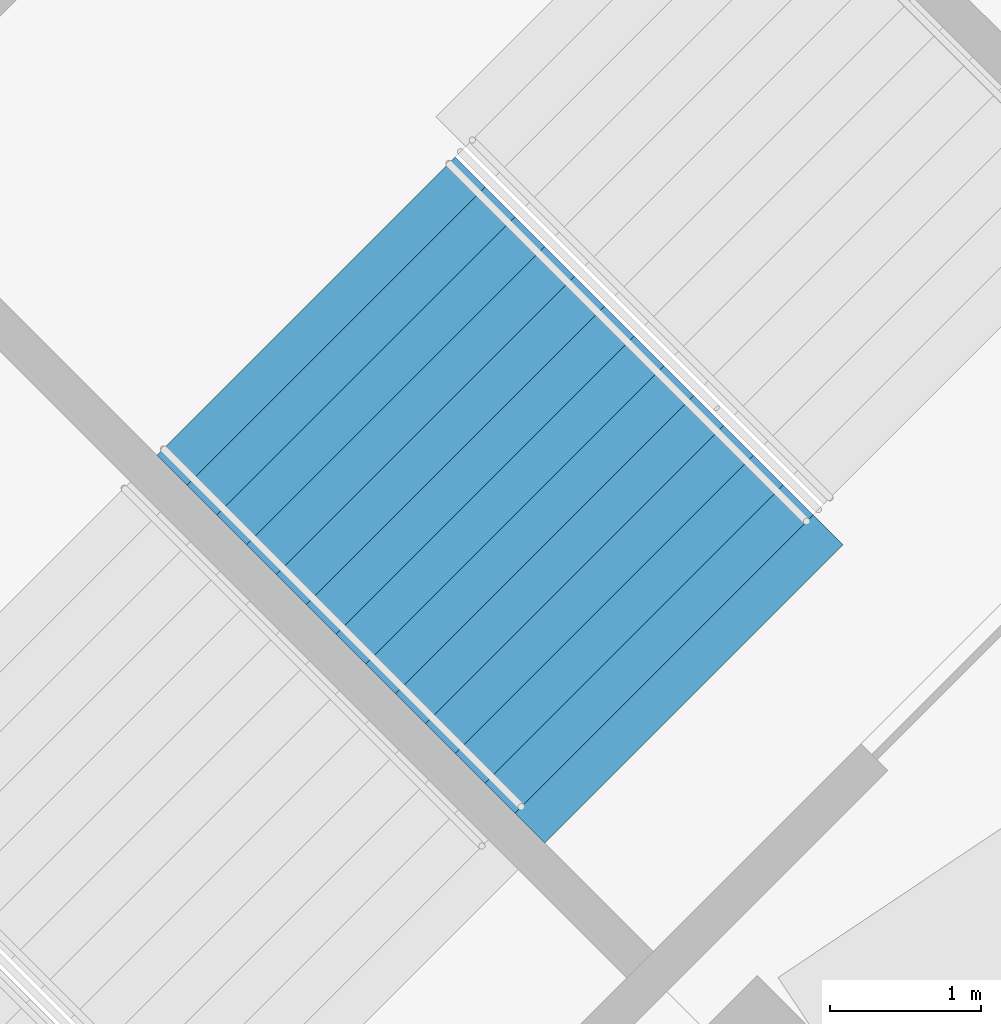
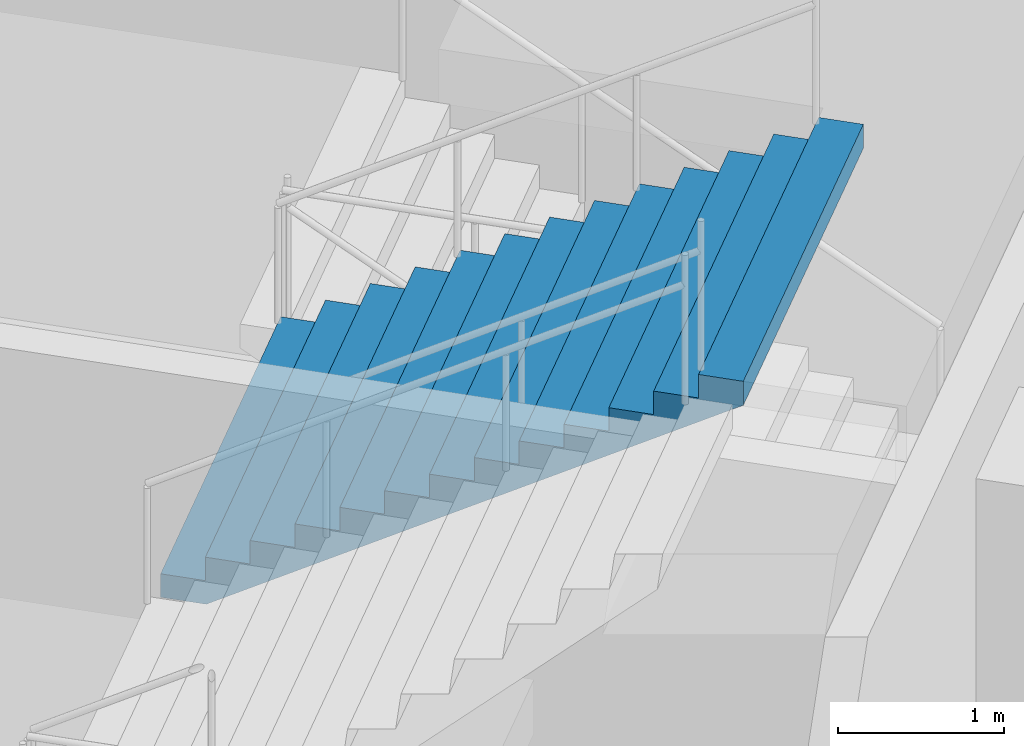
# One storey, part 157 of 199: 1 stair flight, 1 element without a shape of its own.
"""IFC4 building model written with IfcOpenShell, lengths in metres."""

from ifc_helpers import new_model, si_unit, direction, frame, origin, place, context, subcontext, project, spatial, faceted_brep, material, type_object, element, aggregate, save


model = new_model("IFC4")

# Units and contexts
model_context = context("Model", 3, precision=1e-05, world=origin(), true_north=direction((0.0, 1.0)))
body_context = subcontext(model_context, "Body", "Model", "MODEL_VIEW")
ifc_project = project(units=[si_unit("LENGTHUNIT", "METRE"), si_unit("AREAUNIT", "SQUARE_METRE"), si_unit("VOLUMEUNIT", "CUBIC_METRE"), si_unit("PLANEANGLEUNIT", "RADIAN"), si_unit("MASSUNIT", "GRAM", prefix="KILO")], contexts=[model_context])

# Site, building, storey
site_placement = place(None, origin())
site = spatial("IfcSite", under=ifc_project, at=site_placement, CompositionType="ELEMENT")
building_placement = place(site_placement, origin())
building = spatial("IfcBuilding", under=site, at=building_placement, Name="Ogive Plaza Stadium", CompositionType="ELEMENT")
storey_placement = place(building_placement, frame((0.0, 0.0, 9.0)))
storey = spatial("IfcBuildingStorey", under=building, at=storey_placement, Name="L02", CompositionType="ELEMENT", Elevation=9.0)

# Stair, stair flight
ifc_material_1 = material(Name="Concrete C40/50", Category="concrete")
stair_type = type_object("IfcStairType", Name="Exit stair", PredefinedType="STRAIGHT_RUN_STAIR", material=ifc_material_1)
stair_placement = place(storey_placement, origin())
stair = element("IfcStair", 1, at=stair_placement, inside=storey, type_object=stair_type, Name="Exit stair ST30A L02 to L03", PredefinedType="STRAIGHT_RUN_STAIR")
ifc_material_2 = material(Name="Concrete C40/50", Category="concrete")
stair_flight_type = type_object("IfcStairFlightType", Name="Exit stair flight", PredefinedType="STRAIGHT", material=ifc_material_2)
stair_flight_placement = place(storey_placement, frame((-65.243408203125, 85.900146484375, 2.25), z_axis=(0.0, 0.0, 1.0), x_axis=(0.707106781187, -0.707106781187, 0.0)))
stair_flight = element("IfcStairFlight", 2, at=stair_flight_placement, type_object=stair_flight_type, Name="ST30A flight 2", NumberOfRisers=13, NumberOfTreads=12, PredefinedType="STRAIGHT", RiserHeight=0.173076923, TreadLength=0.28, context=body_context, shape_type="Brep", body=[
    faceted_brep([(0.28515625, -1.39990234375, 0.0), (3.639892578125, -1.39990234375, 2.07373046875), (3.639892578125, -1.39990234375, 2.25), (3.360107421875, -1.39990234375, 2.25), (3.360107421875, -1.39990234375, 2.076904296875), (3.080078125, -1.39990234375, 2.076904296875), (3.080078125, -1.39990234375, 1.90380859375), (2.800048828125, -1.39990234375, 1.90380859375), (2.800048828125, -1.39990234375, 1.730712890625), (2.52001953125, -1.39990234375, 1.730712890625), (2.52001953125, -1.39990234375, 1.5576171875), (2.239990234375, -1.39990234375, 1.5576171875), (2.239990234375, -1.39990234375, 1.384521484375), (1.9599609375, -1.39990234375, 1.384521484375), (1.9599609375, -1.39990234375, 1.21142578125), (1.679931640625, -1.39990234375, 1.21142578125), (1.679931640625, -1.39990234375, 1.03857421875), (1.39990234375, -1.39990234375, 1.03857421875), (1.39990234375, -1.39990234375, 0.865478515625), (1.1201171875, -1.39990234375, 0.865478515625), (1.1201171875, -1.39990234375, 0.6923828125), (0.840087890625, -1.39990234375, 0.6923828125), (0.840087890625, -1.39990234375, 0.519287109375), (0.56005859375, -1.39990234375, 0.519287109375), (0.56005859375, -1.39990234375, 0.34619140625), (0.280029296875, -1.39990234375, 0.34619140625), (0.280029296875, -1.39990234375, 0.173095703125), (0.0, -1.39990234375, 0.173095703125), (0.0, -1.39990234375, 0.0), (0.0, 1.39990234375, 0.0), (0.0, 1.39990234375, 0.173095703125), (0.280029296875, 1.39990234375, 0.173095703125), (0.280029296875, 1.39990234375, 0.34619140625), (0.56005859375, 1.39990234375, 0.34619140625), (0.56005859375, 1.39990234375, 0.519287109375), (0.840087890625, 1.39990234375, 0.519287109375), (0.840087890625, 1.39990234375, 0.6923828125), (1.1201171875, 1.39990234375, 0.6923828125), (1.1201171875, 1.39990234375, 0.865478515625), (1.39990234375, 1.39990234375, 0.865478515625), (1.39990234375, 1.39990234375, 1.03857421875), (1.679931640625, 1.39990234375, 1.03857421875), (1.679931640625, 1.39990234375, 1.21142578125), (1.9599609375, 1.39990234375, 1.21142578125), (1.9599609375, 1.39990234375, 1.384521484375), (2.239990234375, 1.39990234375, 1.384521484375), (2.239990234375, 1.39990234375, 1.5576171875), (2.52001953125, 1.39990234375, 1.5576171875), (2.52001953125, 1.39990234375, 1.730712890625), (2.800048828125, 1.39990234375, 1.730712890625), (2.800048828125, 1.39990234375, 1.90380859375), (3.080078125, 1.39990234375, 1.90380859375), (3.080078125, 1.39990234375, 2.076904296875), (3.360107421875, 1.39990234375, 2.076904296875), (3.360107421875, 1.39990234375, 2.25), (3.639892578125, 1.39990234375, 2.25), (3.639892578125, 1.39990234375, 2.07373046875), (0.28515625, 1.39990234375, 0.0), (0.28515625, -1.0888671875, 0.0), (3.639892578125, -1.0888671875, 2.07373046875), (0.28515625, -0.77783203125, 0.0), (3.639892578125, -0.77783203125, 2.07373046875), (0.28515625, -0.466796875, 0.0), (3.639892578125, -0.466796875, 2.07373046875), (0.28515625, -0.155517578125, 0.0), (3.639892578125, -0.155517578125, 2.07373046875), (0.28515625, 0.155517578125, 0.0), (3.639892578125, 0.155517578125, 2.07373046875), (0.28515625, 0.466796875, 0.0), (3.639892578125, 0.466796875, 2.07373046875), (0.28515625, 0.77783203125, 0.0), (3.639892578125, 0.77783203125, 2.07373046875), (0.28515625, 1.0888671875, 0.0), (3.639892578125, 1.0888671875, 2.07373046875), (3.639892578125, -1.0888671875, 2.25), (3.639892578125, -0.77783203125, 2.25), (3.639892578125, -0.466796875, 2.25), (3.639892578125, -0.155517578125, 2.25), (3.639892578125, 0.155517578125, 2.25), (3.639892578125, 0.466796875, 2.25), (3.639892578125, 0.77783203125, 2.25), (3.639892578125, 1.0888671875, 2.25), (3.360107421875, -1.0888671875, 2.25), (3.360107421875, -0.77783203125, 2.25), (3.360107421875, -0.466796875, 2.25), (3.360107421875, -0.155517578125, 2.25), (3.360107421875, 0.155517578125, 2.25), (3.360107421875, 0.466796875, 2.25), (3.360107421875, 0.77783203125, 2.25), (3.360107421875, 1.0888671875, 2.25), (3.360107421875, -1.0888671875, 2.076904296875), (3.360107421875, -0.77783203125, 2.076904296875), (3.360107421875, -0.466796875, 2.076904296875), (3.360107421875, -0.155517578125, 2.076904296875), (3.360107421875, 0.155517578125, 2.076904296875), (3.360107421875, 0.466796875, 2.076904296875), (3.360107421875, 0.77783203125, 2.076904296875), (3.360107421875, 1.0888671875, 2.076904296875), (3.080078125, -1.0888671875, 2.076904296875), (3.080078125, -0.77783203125, 2.076904296875), (3.080078125, -0.466796875, 2.076904296875), (3.080078125, -0.155517578125, 2.076904296875), (3.080078125, 0.155517578125, 2.076904296875), (3.080078125, 0.466796875, 2.076904296875), (3.080078125, 0.77783203125, 2.076904296875), (3.080078125, 1.0888671875, 2.076904296875), (3.080078125, -1.0888671875, 1.90380859375), (3.080078125, -0.77783203125, 1.90380859375), (3.080078125, -0.466796875, 1.90380859375), (3.080078125, -0.155517578125, 1.90380859375), (3.080078125, 0.155517578125, 1.90380859375), (3.080078125, 0.466796875, 1.90380859375), (3.080078125, 0.77783203125, 1.90380859375), (3.080078125, 1.0888671875, 1.90380859375), (2.800048828125, -1.0888671875, 1.90380859375), (2.800048828125, -0.77783203125, 1.90380859375), (2.800048828125, -0.466796875, 1.90380859375), (2.800048828125, -0.155517578125, 1.90380859375), (2.800048828125, 0.155517578125, 1.90380859375), (2.800048828125, 0.466796875, 1.90380859375), (2.800048828125, 0.77783203125, 1.90380859375), (2.800048828125, 1.0888671875, 1.90380859375), (2.800048828125, -1.0888671875, 1.730712890625), (2.800048828125, -0.77783203125, 1.730712890625), (2.800048828125, -0.466796875, 1.730712890625), (2.800048828125, -0.155517578125, 1.730712890625), (2.800048828125, 0.155517578125, 1.730712890625), (2.800048828125, 0.466796875, 1.730712890625), (2.800048828125, 0.77783203125, 1.730712890625), (2.800048828125, 1.0888671875, 1.730712890625), (2.52001953125, -1.0888671875, 1.730712890625), (2.52001953125, -0.77783203125, 1.730712890625), (2.52001953125, -0.466796875, 1.730712890625), (2.52001953125, -0.155517578125, 1.730712890625), (2.52001953125, 0.155517578125, 1.730712890625), (2.52001953125, 0.466796875, 1.730712890625), (2.52001953125, 0.77783203125, 1.730712890625), (2.52001953125, 1.0888671875, 1.730712890625), (2.52001953125, -1.0888671875, 1.5576171875), (2.52001953125, -0.77783203125, 1.5576171875), (2.52001953125, -0.466796875, 1.5576171875), (2.52001953125, -0.155517578125, 1.5576171875), (2.52001953125, 0.155517578125, 1.5576171875), (2.52001953125, 0.466796875, 1.5576171875), (2.52001953125, 0.77783203125, 1.5576171875), (2.52001953125, 1.0888671875, 1.5576171875), (2.239990234375, -1.0888671875, 1.5576171875), (2.239990234375, -0.77783203125, 1.5576171875), (2.239990234375, -0.466796875, 1.5576171875), (2.239990234375, -0.155517578125, 1.5576171875), (2.239990234375, 0.155517578125, 1.5576171875), (2.239990234375, 0.466796875, 1.5576171875), (2.239990234375, 0.77783203125, 1.5576171875), (2.239990234375, 1.0888671875, 1.5576171875), (2.239990234375, -1.0888671875, 1.384521484375), (2.239990234375, -0.77783203125, 1.384521484375), (2.239990234375, -0.466796875, 1.384521484375), (2.239990234375, -0.155517578125, 1.384521484375), (2.239990234375, 0.155517578125, 1.384521484375), (2.239990234375, 0.466796875, 1.384521484375), (2.239990234375, 0.77783203125, 1.384521484375), (2.239990234375, 1.0888671875, 1.384521484375), (1.9599609375, -1.0888671875, 1.384521484375), (1.9599609375, -0.77783203125, 1.384521484375), (1.9599609375, -0.466796875, 1.384521484375), (1.9599609375, -0.155517578125, 1.384521484375), (1.9599609375, 0.155517578125, 1.384521484375), (1.9599609375, 0.466796875, 1.384521484375), (1.9599609375, 0.77783203125, 1.384521484375), (1.9599609375, 1.0888671875, 1.384521484375), (1.9599609375, -1.0888671875, 1.21142578125), (1.9599609375, -0.77783203125, 1.21142578125), (1.9599609375, -0.466796875, 1.21142578125), (1.9599609375, -0.155517578125, 1.21142578125), (1.9599609375, 0.155517578125, 1.21142578125), (1.9599609375, 0.466796875, 1.21142578125), (1.9599609375, 0.77783203125, 1.21142578125), (1.9599609375, 1.0888671875, 1.21142578125), (1.679931640625, -1.0888671875, 1.21142578125), (1.679931640625, -0.77783203125, 1.21142578125), (1.679931640625, -0.466796875, 1.21142578125), (1.679931640625, -0.155517578125, 1.21142578125), (1.679931640625, 0.155517578125, 1.21142578125), (1.679931640625, 0.466796875, 1.21142578125), (1.679931640625, 0.77783203125, 1.21142578125), (1.679931640625, 1.0888671875, 1.21142578125), (1.679931640625, -1.0888671875, 1.03857421875), (1.679931640625, -0.77783203125, 1.03857421875), (1.679931640625, -0.466796875, 1.03857421875), (1.679931640625, -0.155517578125, 1.03857421875), (1.679931640625, 0.155517578125, 1.03857421875), (1.679931640625, 0.466796875, 1.03857421875), (1.679931640625, 0.77783203125, 1.03857421875), (1.679931640625, 1.0888671875, 1.03857421875), (1.39990234375, -1.0888671875, 1.03857421875), (1.39990234375, -0.77783203125, 1.03857421875), (1.39990234375, -0.466796875, 1.03857421875), (1.39990234375, -0.155517578125, 1.03857421875), (1.39990234375, 0.155517578125, 1.03857421875), (1.39990234375, 0.466796875, 1.03857421875), (1.39990234375, 0.77783203125, 1.03857421875), (1.39990234375, 1.0888671875, 1.03857421875), (1.39990234375, -1.0888671875, 0.865478515625), (1.39990234375, -0.77783203125, 0.865478515625), (1.39990234375, -0.466796875, 0.865478515625), (1.39990234375, -0.155517578125, 0.865478515625), (1.39990234375, 0.155517578125, 0.865478515625), (1.39990234375, 0.466796875, 0.865478515625), (1.39990234375, 0.77783203125, 0.865478515625), (1.39990234375, 1.0888671875, 0.865478515625), (1.1201171875, -1.0888671875, 0.865478515625), (1.1201171875, -0.77783203125, 0.865478515625), (1.1201171875, -0.466796875, 0.865478515625), (1.1201171875, -0.155517578125, 0.865478515625), (1.1201171875, 0.155517578125, 0.865478515625), (1.1201171875, 0.466796875, 0.865478515625), (1.1201171875, 0.77783203125, 0.865478515625), (1.1201171875, 1.0888671875, 0.865478515625), (1.1201171875, -1.0888671875, 0.6923828125), (1.1201171875, -0.77783203125, 0.6923828125), (1.1201171875, -0.466796875, 0.6923828125), (1.1201171875, -0.155517578125, 0.6923828125), (1.1201171875, 0.155517578125, 0.6923828125), (1.1201171875, 0.466796875, 0.6923828125), (1.1201171875, 0.77783203125, 0.6923828125), (1.1201171875, 1.0888671875, 0.6923828125), (0.840087890625, -1.0888671875, 0.6923828125), (0.840087890625, -0.77783203125, 0.6923828125), (0.840087890625, -0.466796875, 0.6923828125), (0.840087890625, -0.155517578125, 0.6923828125), (0.840087890625, 0.155517578125, 0.6923828125), (0.840087890625, 0.466796875, 0.6923828125), (0.840087890625, 0.77783203125, 0.6923828125), (0.840087890625, 1.0888671875, 0.6923828125), (0.840087890625, -1.0888671875, 0.519287109375), (0.840087890625, -0.77783203125, 0.519287109375), (0.840087890625, -0.466796875, 0.519287109375), (0.840087890625, -0.155517578125, 0.519287109375), (0.840087890625, 0.155517578125, 0.519287109375), (0.840087890625, 0.466796875, 0.519287109375), (0.840087890625, 0.77783203125, 0.519287109375), (0.840087890625, 1.0888671875, 0.519287109375), (0.56005859375, -1.0888671875, 0.519287109375), (0.56005859375, -0.77783203125, 0.519287109375), (0.56005859375, -0.466796875, 0.519287109375), (0.56005859375, -0.155517578125, 0.519287109375), (0.56005859375, 0.155517578125, 0.519287109375), (0.56005859375, 0.466796875, 0.519287109375), (0.56005859375, 0.77783203125, 0.519287109375), (0.56005859375, 1.0888671875, 0.519287109375), (0.56005859375, -1.0888671875, 0.34619140625), (0.56005859375, -0.77783203125, 0.34619140625), (0.56005859375, -0.466796875, 0.34619140625), (0.56005859375, -0.155517578125, 0.34619140625), (0.56005859375, 0.155517578125, 0.34619140625), (0.56005859375, 0.466796875, 0.34619140625), (0.56005859375, 0.77783203125, 0.34619140625), (0.56005859375, 1.0888671875, 0.34619140625), (0.280029296875, -1.0888671875, 0.34619140625), (0.280029296875, -0.77783203125, 0.34619140625), (0.280029296875, -0.466796875, 0.34619140625), (0.280029296875, -0.155517578125, 0.34619140625), (0.280029296875, 0.155517578125, 0.34619140625), (0.280029296875, 0.466796875, 0.34619140625), (0.280029296875, 0.77783203125, 0.34619140625), (0.280029296875, 1.0888671875, 0.34619140625), (0.280029296875, -1.0888671875, 0.173095703125), (0.280029296875, -0.77783203125, 0.173095703125), (0.280029296875, -0.466796875, 0.173095703125), (0.280029296875, -0.155517578125, 0.173095703125), (0.280029296875, 0.155517578125, 0.173095703125), (0.280029296875, 0.466796875, 0.173095703125), (0.280029296875, 0.77783203125, 0.173095703125), (0.280029296875, 1.0888671875, 0.173095703125), (0.0, -1.0888671875, 0.173095703125), (0.0, -0.77783203125, 0.173095703125), (0.0, -0.466796875, 0.173095703125), (0.0, -0.155517578125, 0.173095703125), (0.0, 0.155517578125, 0.173095703125), (0.0, 0.466796875, 0.173095703125), (0.0, 0.77783203125, 0.173095703125), (0.0, 1.0888671875, 0.173095703125), (0.0, -1.0888671875, 0.0), (0.0, -0.77783203125, 0.0), (0.0, -0.466796875, 0.0), (0.0, -0.155517578125, 0.0), (0.0, 0.155517578125, 0.0), (0.0, 0.466796875, 0.0), (0.0, 0.77783203125, 0.0), (0.0, 1.0888671875, 0.0)], [[[0, 1, 2, 3, 4, 5, 6, 7, 8, 9, 10, 11, 12, 13, 14, 15, 16, 17, 18, 19, 20, 21, 22, 23, 24, 25, 26, 27, 28]], [[29, 30, 31, 32, 33, 34, 35, 36, 37, 38, 39, 40, 41, 42, 43, 44, 45, 46, 47, 48, 49, 50, 51, 52, 53, 54, 55, 56, 57]], [[0, 58, 59, 1]], [[58, 60, 61, 59]], [[60, 62, 63, 61]], [[62, 64, 65, 63]], [[64, 66, 67, 65]], [[66, 68, 69, 67]], [[68, 70, 71, 69]], [[70, 72, 73, 71]], [[72, 57, 56, 73]], [[1, 59, 74, 2]], [[59, 61, 75, 74]], [[61, 63, 76, 75]], [[63, 65, 77, 76]], [[65, 67, 78, 77]], [[67, 69, 79, 78]], [[69, 71, 80, 79]], [[71, 73, 81, 80]], [[73, 56, 55, 81]], [[2, 74, 82, 3]], [[74, 75, 83, 82]], [[75, 76, 84, 83]], [[76, 77, 85, 84]], [[77, 78, 86, 85]], [[78, 79, 87, 86]], [[79, 80, 88, 87]], [[80, 81, 89, 88]], [[81, 55, 54, 89]], [[3, 82, 90, 4]], [[82, 83, 91, 90]], [[83, 84, 92, 91]], [[84, 85, 93, 92]], [[85, 86, 94, 93]], [[86, 87, 95, 94]], [[87, 88, 96, 95]], [[88, 89, 97, 96]], [[89, 54, 53, 97]], [[4, 90, 98, 5]], [[90, 91, 99, 98]], [[91, 92, 100, 99]], [[92, 93, 101, 100]], [[93, 94, 102, 101]], [[94, 95, 103, 102]], [[95, 96, 104, 103]], [[96, 97, 105, 104]], [[97, 53, 52, 105]], [[5, 98, 106, 6]], [[98, 99, 107, 106]], [[99, 100, 108, 107]], [[100, 101, 109, 108]], [[101, 102, 110, 109]], [[102, 103, 111, 110]], [[103, 104, 112, 111]], [[104, 105, 113, 112]], [[105, 52, 51, 113]], [[6, 106, 114, 7]], [[106, 107, 115, 114]], [[107, 108, 116, 115]], [[108, 109, 117, 116]], [[109, 110, 118, 117]], [[110, 111, 119, 118]], [[111, 112, 120, 119]], [[112, 113, 121, 120]], [[113, 51, 50, 121]], [[7, 114, 122, 8]], [[114, 115, 123, 122]], [[115, 116, 124, 123]], [[116, 117, 125, 124]], [[117, 118, 126, 125]], [[118, 119, 127, 126]], [[119, 120, 128, 127]], [[120, 121, 129, 128]], [[121, 50, 49, 129]], [[8, 122, 130, 9]], [[122, 123, 131, 130]], [[123, 124, 132, 131]], [[124, 125, 133, 132]], [[125, 126, 134, 133]], [[126, 127, 135, 134]], [[127, 128, 136, 135]], [[128, 129, 137, 136]], [[129, 49, 48, 137]], [[9, 130, 138, 10]], [[130, 131, 139, 138]], [[131, 132, 140, 139]], [[132, 133, 141, 140]], [[133, 134, 142, 141]], [[134, 135, 143, 142]], [[135, 136, 144, 143]], [[136, 137, 145, 144]], [[137, 48, 47, 145]], [[10, 138, 146, 11]], [[138, 139, 147, 146]], [[139, 140, 148, 147]], [[140, 141, 149, 148]], [[141, 142, 150, 149]], [[142, 143, 151, 150]], [[143, 144, 152, 151]], [[144, 145, 153, 152]], [[145, 47, 46, 153]], [[11, 146, 154, 12]], [[146, 147, 155, 154]], [[147, 148, 156, 155]], [[148, 149, 157, 156]], [[149, 150, 158, 157]], [[150, 151, 159, 158]], [[151, 152, 160, 159]], [[152, 153, 161, 160]], [[153, 46, 45, 161]], [[12, 154, 162, 13]], [[154, 155, 163, 162]], [[155, 156, 164, 163]], [[156, 157, 165, 164]], [[157, 158, 166, 165]], [[158, 159, 167, 166]], [[159, 160, 168, 167]], [[160, 161, 169, 168]], [[161, 45, 44, 169]], [[13, 162, 170, 14]], [[162, 163, 171, 170]], [[163, 164, 172, 171]], [[164, 165, 173, 172]], [[165, 166, 174, 173]], [[166, 167, 175, 174]], [[167, 168, 176, 175]], [[168, 169, 177, 176]], [[169, 44, 43, 177]], [[14, 170, 178, 15]], [[170, 171, 179, 178]], [[171, 172, 180, 179]], [[172, 173, 181, 180]], [[173, 174, 182, 181]], [[174, 175, 183, 182]], [[175, 176, 184, 183]], [[176, 177, 185, 184]], [[177, 43, 42, 185]], [[15, 178, 186, 16]], [[178, 179, 187, 186]], [[179, 180, 188, 187]], [[180, 181, 189, 188]], [[181, 182, 190, 189]], [[182, 183, 191, 190]], [[183, 184, 192, 191]], [[184, 185, 193, 192]], [[185, 42, 41, 193]], [[16, 186, 194, 17]], [[186, 187, 195, 194]], [[187, 188, 196, 195]], [[188, 189, 197, 196]], [[189, 190, 198, 197]], [[190, 191, 199, 198]], [[191, 192, 200, 199]], [[192, 193, 201, 200]], [[193, 41, 40, 201]], [[17, 194, 202, 18]], [[194, 195, 203, 202]], [[195, 196, 204, 203]], [[196, 197, 205, 204]], [[197, 198, 206, 205]], [[198, 199, 207, 206]], [[199, 200, 208, 207]], [[200, 201, 209, 208]], [[201, 40, 39, 209]], [[18, 202, 210, 19]], [[202, 203, 211, 210]], [[203, 204, 212, 211]], [[204, 205, 213, 212]], [[205, 206, 214, 213]], [[206, 207, 215, 214]], [[207, 208, 216, 215]], [[208, 209, 217, 216]], [[209, 39, 38, 217]], [[19, 210, 218, 20]], [[210, 211, 219, 218]], [[211, 212, 220, 219]], [[212, 213, 221, 220]], [[213, 214, 222, 221]], [[214, 215, 223, 222]], [[215, 216, 224, 223]], [[216, 217, 225, 224]], [[217, 38, 37, 225]], [[20, 218, 226, 21]], [[218, 219, 227, 226]], [[219, 220, 228, 227]], [[220, 221, 229, 228]], [[221, 222, 230, 229]], [[222, 223, 231, 230]], [[223, 224, 232, 231]], [[224, 225, 233, 232]], [[225, 37, 36, 233]], [[21, 226, 234, 22]], [[226, 227, 235, 234]], [[227, 228, 236, 235]], [[228, 229, 237, 236]], [[229, 230, 238, 237]], [[230, 231, 239, 238]], [[231, 232, 240, 239]], [[232, 233, 241, 240]], [[233, 36, 35, 241]], [[22, 234, 242, 23]], [[234, 235, 243, 242]], [[235, 236, 244, 243]], [[236, 237, 245, 244]], [[237, 238, 246, 245]], [[238, 239, 247, 246]], [[239, 240, 248, 247]], [[240, 241, 249, 248]], [[241, 35, 34, 249]], [[23, 242, 250, 24]], [[242, 243, 251, 250]], [[243, 244, 252, 251]], [[244, 245, 253, 252]], [[245, 246, 254, 253]], [[246, 247, 255, 254]], [[247, 248, 256, 255]], [[248, 249, 257, 256]], [[249, 34, 33, 257]], [[24, 250, 258, 25]], [[250, 251, 259, 258]], [[251, 252, 260, 259]], [[252, 253, 261, 260]], [[253, 254, 262, 261]], [[254, 255, 263, 262]], [[255, 256, 264, 263]], [[256, 257, 265, 264]], [[257, 33, 32, 265]], [[25, 258, 266, 26]], [[258, 259, 267, 266]], [[259, 260, 268, 267]], [[260, 261, 269, 268]], [[261, 262, 270, 269]], [[262, 263, 271, 270]], [[263, 264, 272, 271]], [[264, 265, 273, 272]], [[265, 32, 31, 273]], [[26, 266, 274, 27]], [[266, 267, 275, 274]], [[267, 268, 276, 275]], [[268, 269, 277, 276]], [[269, 270, 278, 277]], [[270, 271, 279, 278]], [[271, 272, 280, 279]], [[272, 273, 281, 280]], [[273, 31, 30, 281]], [[27, 274, 282, 28]], [[274, 275, 283, 282]], [[275, 276, 284, 283]], [[276, 277, 285, 284]], [[277, 278, 286, 285]], [[278, 279, 287, 286]], [[279, 280, 288, 287]], [[280, 281, 289, 288]], [[281, 30, 29, 289]], [[28, 282, 58, 0]], [[282, 283, 60, 58]], [[283, 284, 62, 60]], [[284, 285, 64, 62]], [[285, 286, 66, 64]], [[286, 287, 68, 66]], [[287, 288, 70, 68]], [[288, 289, 72, 70]], [[289, 29, 57, 72]]]),
])
aggregate(stair, [stair_flight])

save(model, "model.ifc")
